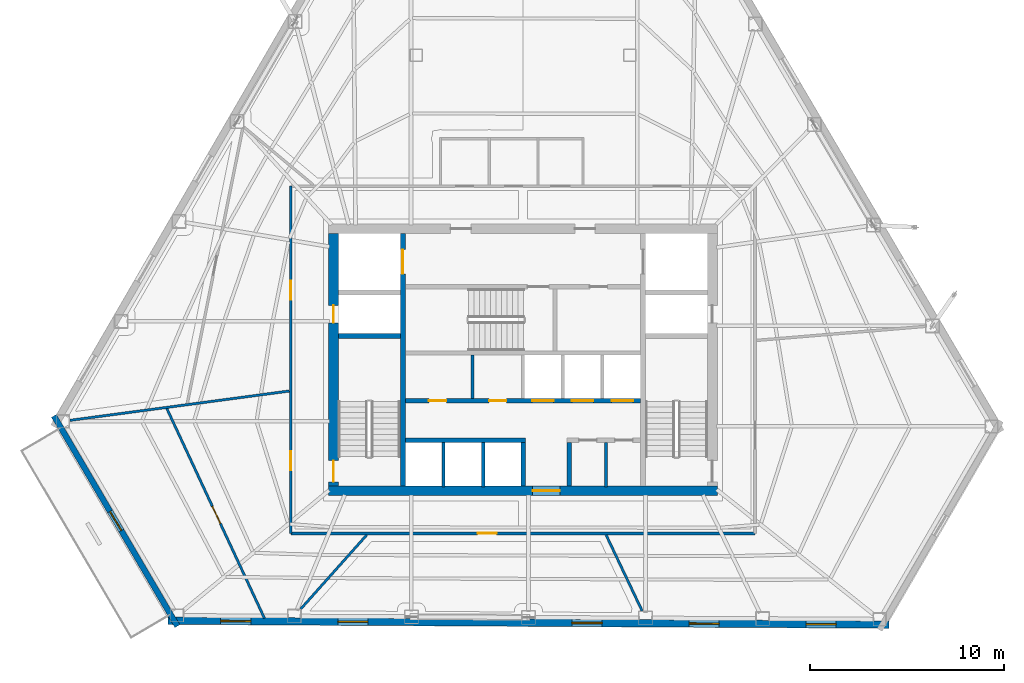
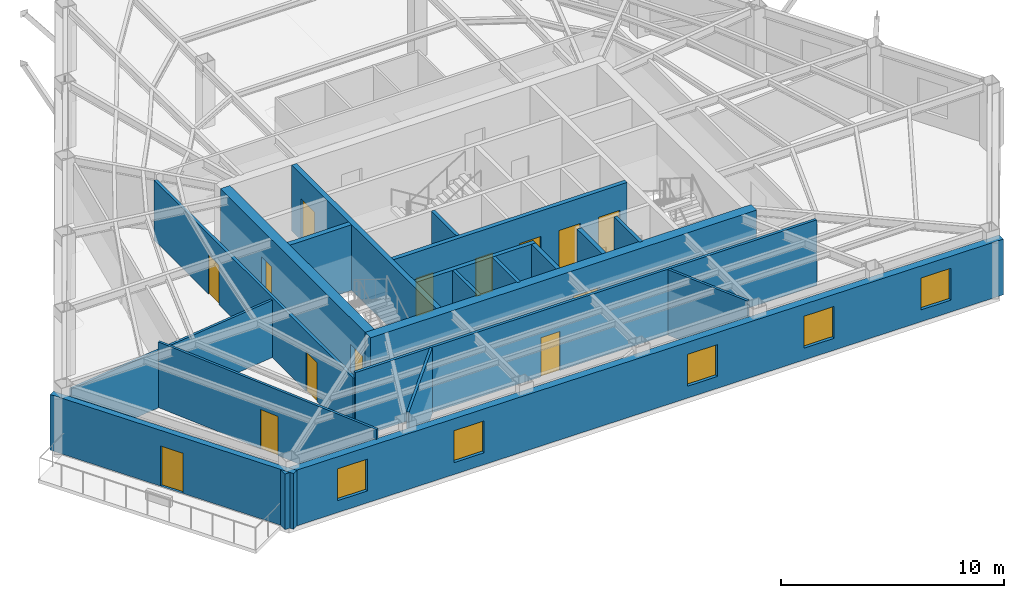
# One storey, part 7 of 13: 20 walls, 14 doors, 5 windows, 19 openings.
"""IFC4 building model written with IfcOpenShell, lengths in metres."""

import ifcopenshell
import ifcopenshell.guid

model = None  # the IFC model being written
_history = None  # IfcOwnerHistory: only IFC2X3 demands one
_inside = {}  # id of a spatial element -> (the spatial element, [elements in it])
_under = {}  # id of a project, library or spatial element -> (it, [spatial elements below it])
_declared = {}  # id of a project -> (the project, [libraries it declares])
_typed = {}  # id of a type object -> (the type object, [elements of that type])
_made_of = {}  # id of a material, layer set ... -> (it, [elements and type objects made of it])


def new_model(schema):
    """Start an empty IFC model of exactly this schema.

    Asked for "IFC4X3", IfcOpenShell would pick the latest addendum, in which some entities
    have other attributes; the version numbers below select the first issue.
    IFC2X3 requires an IfcOwnerHistory on every rooted entity: one is made here for all.
    """
    global model, _history
    if schema == "IFC4X3":
        model = ifcopenshell.file(schema_version=(4, 3, 0, 0))
    else:
        model = ifcopenshell.file(schema=schema)
    _inside.clear()
    _under.clear()
    _declared.clear()
    _typed.clear()
    _made_of.clear()
    _history = None
    if model.schema == "IFC2X3":
        org = make("IfcOrganization", Name="unknown")
        user = make(
            "IfcPersonAndOrganization",
            ThePerson=make("IfcPerson", FamilyName="unknown"),
            TheOrganization=org,
        )
        app = make(
            "IfcApplication",
            ApplicationDeveloper=org,
            Version="unknown",
            ApplicationFullName="unknown",
            ApplicationIdentifier="unknown",
        )
        _history = make(
            "IfcOwnerHistory",
            OwningUser=user,
            OwningApplication=app,
            ChangeAction="ADDED",
            CreationDate=0,
        )
    return model


def make(cls, **values):
    """One entity of the class cls with the attributes given. An attribute that is None is left unset."""
    return model.create_entity(
        cls, **{name: value for name, value in values.items() if value is not None}
    )


def rooted(cls, **values):
    """An entity with a GlobalId (a new one), such as an element, a storey or a relation."""
    return make(cls, GlobalId=ifcopenshell.guid.new(), OwnerHistory=_history, **values)


def si_unit(unit_type, name, prefix=None):
    """IfcSIUnit, for example si_unit("LENGTHUNIT", "METRE", prefix="MILLI")."""
    return make("IfcSIUnit", UnitType=unit_type, Prefix=prefix, Name=name)


def assignment(units):
    """IfcUnitAssignment: the units of a project."""
    return None if units is None else make("IfcUnitAssignment", Units=units)


def point(xyz):
    """IfcCartesianPoint."""
    return None if xyz is None else make("IfcCartesianPoint", Coordinates=xyz)


def direction(xyz):
    """IfcDirection."""
    return None if xyz is None else make("IfcDirection", DirectionRatios=xyz)


def frame(location, z_axis=None, x_axis=None):
    """IfcAxis2Placement3D, a coordinate frame: its origin and axes. An axis left out is left unset."""
    return make(
        "IfcAxis2Placement3D",
        Location=point(location),
        Axis=direction(z_axis),
        RefDirection=direction(x_axis),
    )


def frame_2d(location, x_axis=None):
    """IfcAxis2Placement2D, a coordinate frame in the plane: its origin and x axis."""
    return make(
        "IfcAxis2Placement2D", Location=point(location), RefDirection=direction(x_axis)
    )


def origin():
    """The frame at (0, 0, 0) with its axes left unset."""
    return frame((0.0, 0.0, 0.0))


def place(relative_to, where):
    """IfcLocalPlacement: puts the frame where relative to a parent placement (None: the world)."""
    return make(
        "IfcLocalPlacement", PlacementRelTo=relative_to, RelativePlacement=where
    )


def context(
    kind, dimensions, precision=None, world=None, true_north=None, identifier=None
):
    """IfcGeometricRepresentationContext, for example the 3D "Model" context."""
    return make(
        "IfcGeometricRepresentationContext",
        ContextIdentifier=identifier,
        ContextType=kind,
        CoordinateSpaceDimension=dimensions,
        Precision=precision,
        WorldCoordinateSystem=world,
        TrueNorth=true_north,
    )


def subcontext(parent, identifier, kind, view, scale=None):
    """IfcGeometricRepresentationSubContext, for example "Body" below "Model"."""
    return make(
        "IfcGeometricRepresentationSubContext",
        ContextIdentifier=identifier,
        ContextType=kind,
        ParentContext=parent,
        TargetScale=scale,
        TargetView=view,
    )


def project(units=None, contexts=None):
    """IfcProject with its units and contexts."""
    return rooted(
        "IfcProject",
        Name="project",
        RepresentationContexts=contexts,
        UnitsInContext=assignment(units),
    )


def spatial(cls, under=None, at=None, **own):
    """A site, building, storey or space (cls), placed at a placement, below another one or the project."""
    s = rooted(cls, ObjectPlacement=at, **own)
    if under is not None:
        _under.setdefault(under.id(), (under, []))[1].append(s)
    return s


def profile(cls, at=None, kind="AREA", **sizes):
    """A parametric profile (cls). Its sizes go by their IFC names, for example OverallWidth=200.0."""
    return make(cls, ProfileType=kind, Position=at, **sizes)


def rectangle(**sizes):
    """IfcRectangleProfileDef."""
    return profile("IfcRectangleProfileDef", **sizes)


def extrude(swept, where, along, depth):
    """IfcExtrudedAreaSolid: the profile swept, set in the frame where, extruded along a direction by depth."""
    return make(
        "IfcExtrudedAreaSolid",
        SweptArea=swept,
        Position=where,
        ExtrudedDirection=direction(along),
        Depth=depth,
    )


def shape(context_of_items, identifier, shape_type, items):
    """IfcShapeRepresentation: the items that make up one representation, for example the "Body"."""
    return make(
        "IfcShapeRepresentation",
        ContextOfItems=context_of_items,
        RepresentationIdentifier=identifier,
        RepresentationType=shape_type,
        Items=items,
    )


def material(Name=None, Category=None):
    """IfcMaterial."""
    return make("IfcMaterial", Name=Name, Category=Category)


def layer(
    of_material, thickness, ventilated=None, Name=None, Category=None, Priority=None
):
    """IfcMaterialLayer: one layer of a wall or slab, of a material (None: an air gap)."""
    return make(
        "IfcMaterialLayer",
        Material=of_material,
        LayerThickness=thickness,
        IsVentilated=ventilated,
        Name=Name,
        Category=Category,
        Priority=Priority,
    )


def layer_set(layers, Name=None):
    """IfcMaterialLayerSet."""
    return make("IfcMaterialLayerSet", MaterialLayers=layers, LayerSetName=Name)


def made_of(thing, what):
    """Note that an element or type object is made of a material, layer set ...; save() writes the relation."""
    if what is not None:
        _made_of.setdefault(what.id(), (what, []))[1].append(thing)
    return thing


def type_object(cls, material=None, **own):
    """A type object (cls), such as IfcWallType, which elements share."""
    return made_of(rooted(cls, **own), material)


def element(
    cls,
    number,
    at=None,
    inside=None,
    cuts=None,
    type_object=None,
    material=None,
    context=None,
    identifier="Body",
    shape_type=None,
    held_by="IfcProductDefinitionShape",
    body=None,
    shapes=None,
    **own,
):
    """One element of the class cls, such as IfcWall. Its Tag is "e" and its number.

    at: its placement. inside: the storey or other place that contains it. cuts: it is an
    opening in that element (IfcRelVoidsElement). A single representation is given by context,
    identifier, shape_type and body (its items); several are given by shapes. held_by: the class
    of the entity that holds the representations. save() writes the other relations.
    """
    e = rooted(cls, Tag="e%d" % number, ObjectPlacement=at, **own)
    if body is not None:
        shapes = [shape(context, identifier, shape_type, body)]
    if shapes is not None:
        e.Representation = make(held_by, Representations=shapes)
    if inside is not None:
        _inside.setdefault(inside.id(), (inside, []))[1].append(e)
    if cuts is not None:
        rooted(
            "IfcRelVoidsElement", RelatingBuildingElement=cuts, RelatedOpeningElement=e
        )
    if type_object is not None:
        _typed.setdefault(type_object.id(), (type_object, []))[1].append(e)
    return made_of(e, material)


def fill(opening, filler):
    """IfcRelFillsElement: the door or window that sits in an opening."""
    return rooted(
        "IfcRelFillsElement",
        RelatingOpeningElement=opening,
        RelatedBuildingElement=filler,
    )


def aggregate(whole, parts):
    """IfcRelAggregates: a whole, such as a stair, and the parts it consists of."""
    return rooted("IfcRelAggregates", RelatingObject=whole, RelatedObjects=parts)


def save(model, path):
    """Write the relations noted so far, then the file.

    IfcRelAggregates (storeys below a building ...), IfcRelContainedInSpatialStructure (elements
    in a storey), IfcRelDefinesByType, IfcRelAssociatesMaterial and IfcRelDeclares: one each for
    every whole, place, type object, material and project.
    """
    for whole, parts in _under.values():
        aggregate(whole, parts)
    for where, things in _inside.values():
        rooted(
            "IfcRelContainedInSpatialStructure",
            RelatedElements=things,
            RelatingStructure=where,
        )
    for kind, things in _typed.values():
        rooted("IfcRelDefinesByType", RelatedObjects=things, RelatingType=kind)
    for what, things in _made_of.values():
        rooted("IfcRelAssociatesMaterial", RelatedObjects=things, RelatingMaterial=what)
    for by, libraries in _declared.values():
        rooted("IfcRelDeclares", RelatingContext=by, RelatedDefinitions=libraries)
    model.write(path)


model = new_model("IFC4")

# Units and contexts
model_context = context("Model", 3, precision=1e-05, world=origin(), true_north=direction((0.0, 1.0)))
body_context = subcontext(model_context, "Body", "Model", "MODEL_VIEW")
ifc_project = project(units=[si_unit("LENGTHUNIT", "METRE"), si_unit("AREAUNIT", "SQUARE_METRE"), si_unit("VOLUMEUNIT", "CUBIC_METRE"), si_unit("PLANEANGLEUNIT", "RADIAN"), si_unit("MASSUNIT", "GRAM", prefix="KILO")], contexts=[model_context])

# Site, building, storey
site_placement = place(None, origin())
site = spatial("IfcSite", under=ifc_project, at=site_placement, CompositionType="ELEMENT")
building_placement = place(site_placement, origin())
building = spatial("IfcBuilding", under=site, at=building_placement, Name="Kavelnor Concourse Tower", CompositionType="ELEMENT")
storey_placement = place(building_placement, frame((0.0, 0.0, 124.0)))
storey = spatial("IfcBuildingStorey", under=building, at=storey_placement, Name="L31", CompositionType="ELEMENT", Elevation=124.0)

# Wall, opening, door
ifc_material_1 = material(Name="Concrete C60/75", Category="concrete")
ifc_layer_1 = layer(ifc_material_1, 0.5, Name="Concrete C60/75")
ifc_layer_set_1 = layer_set([ifc_layer_1], Name="Concrete C60/75")
wall_type_1 = type_object("IfcWallType", Name="WL-CORE-Z2-500", PredefinedType="SOLIDWALL", material=ifc_layer_set_1)
wall_1_placement = place(storey_placement, frame((27.97998046875, 9.35009765625, 0.0), z_axis=(0.0, 0.0, 1.0), x_axis=(1.0, 0.0, 0.0)))
wall_1 = element("IfcWall", 1, at=wall_1_placement, inside=storey, type_object=wall_type_1, Name="L31 Central Core South Shear Wall", PredefinedType="SOLIDWALL", context=body_context, shape_type="SweptSolid", body=[
    extrude(rectangle(XDim=20.0400390625, YDim=0.5, at=frame_2d((10.02001953125, 0.0))), origin(), (0.0, 0.0, 1.0), 3.60009765625),
])
opening_1_placement = place(wall_1_placement, frame((10.52001953125, 0.0, 0.0)))
opening_1 = element("IfcOpeningElement", 2, at=opening_1_placement, cuts=wall_1, Name="Opening SD-140", PredefinedType="OPENING", context=body_context, shape_type="SweptSolid", body=[
    extrude(rectangle(XDim=1.39990234375, YDim=2.199951171875, at=frame_2d((0.699951171875, 1.10009765625))), frame((0.0, 0.260009765625, 0.0), z_axis=(0.0, -1.0, 0.0), x_axis=(1.0, 0.0, 0.0)), (0.0, 0.0, 1.0), 0.52001953125),
])
ifc_material_2 = material(Name="Solid-core hardwood timber", Category="wood")
door_type_1 = type_object("IfcDoorType", Name="DR-SUITE-ENTRY-1400", OperationType="NOTDEFINED", PredefinedType="DOOR", material=ifc_material_2)
door_1_placement = place(opening_1_placement, origin())
door_1 = element("IfcDoor", 3, at=door_1_placement, inside=storey, type_object=door_type_1, Name="L31 Passenger Lift Lobby Entry Door", OperationType="SINGLE_SWING_RIGHT", OverallHeight=2.199951171875, OverallWidth=1.39990234375, PredefinedType="DOOR", context=body_context, shape_type="SweptSolid", body=[
    extrude(rectangle(XDim=1.39990234375, YDim=2.199951171875, at=frame_2d((0.699951171875, 1.10009765625))), frame((0.0, 0.02490234375, 0.0), z_axis=(0.0, -1.0, 0.0), x_axis=(1.0, 0.0, 0.0)), (0.0, 0.0, 1.0), 0.050048828125),
])
fill(opening_1, door_1)

# Wall, openings, doors
wall_2_placement = place(storey_placement, frame((28.22998046875, 9.60009765625, 0.0), z_axis=(0.0, 0.0, 1.0), x_axis=(0.0, 1.0, 0.0)))
wall_2 = element("IfcWall", 4, at=wall_2_placement, inside=storey, type_object=wall_type_1, Name="L31 Central Core West Shear Wall", PredefinedType="SOLIDWALL", context=body_context, shape_type="SweptSolid", body=[
    extrude(rectangle(XDim=13.0, YDim=0.5, at=frame_2d((6.5, 0.0))), origin(), (0.0, 0.0, 1.0), 3.60009765625),
])
opening_2_placement = place(wall_2_placement, frame((0.199951171875, 0.0, 0.0)))
opening_2 = element("IfcOpeningElement", 5, at=opening_2_placement, cuts=wall_2, Name="Opening FD-110", PredefinedType="OPENING", context=body_context, shape_type="SweptSolid", body=[
    extrude(rectangle(XDim=1.10009765625, YDim=2.14990234375, at=frame_2d((0.550048828125, 1.074951171875))), frame((0.0, 0.260009765625, 0.0), z_axis=(0.0, -1.0, 0.0), x_axis=(1.0, 0.0, 0.0)), (0.0, 0.0, 1.0), 0.52001953125),
])
opening_3_placement = place(wall_2_placement, frame((8.39990234375, 0.0, 0.0)))
opening_3 = element("IfcOpeningElement", 6, at=opening_3_placement, cuts=wall_2, Name="Opening FD-090", PredefinedType="OPENING", context=body_context, shape_type="SweptSolid", body=[
    extrude(rectangle(XDim=0.89990234375, YDim=2.10009765625, at=frame_2d((0.449951171875, 1.050048828125))), frame((0.0, 0.260009765625, 0.0), z_axis=(0.0, -1.0, 0.0), x_axis=(1.0, 0.0, 0.0)), (0.0, 0.0, 1.0), 0.52001953125),
])
ifc_material_3 = material(Name="Steel Grade 350", Category="steel")
door_type_2 = type_object("IfcDoorType", Name="DR-RISER-FIRE-900", OperationType="NOTDEFINED", PredefinedType="DOOR", material=ifc_material_3)
door_2_placement = place(opening_3_placement, origin())
door_2 = element("IfcDoor", 7, at=door_2_placement, inside=storey, type_object=door_type_2, Name="L31 West Riser Access Door", OperationType="SINGLE_SWING_RIGHT", OverallHeight=2.10009765625, OverallWidth=0.89990234375, PredefinedType="DOOR", context=body_context, shape_type="SweptSolid", body=[
    extrude(rectangle(XDim=0.89990234375, YDim=2.10009765625, at=frame_2d((0.449951171875, 1.050048828125))), frame((0.0, 0.02490234375, 0.0), z_axis=(0.0, -1.0, 0.0), x_axis=(1.0, 0.0, 0.0)), (0.0, 0.0, 1.0), 0.050048828125),
])
fill(opening_3, door_2)
door_type_3 = type_object("IfcDoorType", Name="DR-STAIR-FIRE-1100", OperationType="NOTDEFINED", PredefinedType="DOOR", material=ifc_material_3)
door_3_placement = place(opening_2_placement, origin())
door_3 = element("IfcDoor", 8, at=door_3_placement, inside=storey, type_object=door_type_3, Name="L31 Stair ST1 Fire Door", OperationType="SINGLE_SWING_LEFT", OverallHeight=2.14990234375, OverallWidth=1.10009765625, PredefinedType="DOOR", context=body_context, shape_type="SweptSolid", body=[
    extrude(rectangle(XDim=1.10009765625, YDim=2.14990234375, at=frame_2d((0.550048828125, 1.074951171875))), frame((0.0, 0.02490234375, 0.0), z_axis=(0.0, -1.0, 0.0), x_axis=(1.0, 0.0, 0.0)), (0.0, 0.0, 1.0), 0.050048828125),
])
fill(opening_2, door_3)

# Wall, opening, door
ifc_material_4 = material(Name="Buff ironspot clay face brick masonry", Category="masonry")
ifc_layer_2 = layer(ifc_material_4, 0.300048828125, Name="Buff ironspot clay face brick masonry")
ifc_layer_set_2 = layer_set([ifc_layer_2], Name="Buff ironspot clay face brick masonry")
wall_type_2 = type_object("IfcWallType", Name="WL-EXT-BUFF-BRICK-FOLD-300", PredefinedType="STANDARD", material=ifc_layer_set_2)
wall_3_placement = place(storey_placement, frame((20.17919921875, 2.36572265625, 0.0), z_axis=(0.0, 0.0, 1.0), x_axis=(-0.506333382152, 0.862337814385, 0.0)))
wall_3 = element("IfcWall", 9, at=wall_3_placement, inside=storey, type_object=wall_type_2, Name="L31 Exterior Brick Facade Wall E2", PredefinedType="STANDARD", context=body_context, shape_type="SweptSolid", body=[
    extrude(rectangle(XDim=12.57177734375, YDim=0.300048828125, at=frame_2d((6.285888671875, 0.0))), origin(), (0.0, 0.0, 1.0), 3.05908203125),
])
opening_4_placement = place(wall_3_placement, frame((5.710693359375, 0.0, 0.0)))
opening_4 = element("IfcOpeningElement", 10, at=opening_4_placement, cuts=wall_3, Name="Opening TD-115", PredefinedType="OPENING", context=body_context, shape_type="SweptSolid", body=[
    extrude(rectangle(XDim=1.14990234375, YDim=2.199951171875, at=frame_2d((0.574951171875, 1.10009765625))), frame((0.0, 0.16015625, 0.0), z_axis=(0.0, -1.0, 0.0), x_axis=(1.0, 0.0, 0.0)), (0.0, 0.0, 1.0), 0.320068359375),
])
ifc_material_5 = material(Name="Anodised aluminium 6063-T6", Category="aluminium")
door_type_4 = type_object("IfcDoorType", Name="DR-TERRACE-EXT-1150", OperationType="NOTDEFINED", PredefinedType="DOOR", material=ifc_material_5)
door_4_placement = place(opening_4_placement, origin())
door_4 = element("IfcDoor", 11, at=door_4_placement, inside=storey, type_object=door_type_4, Name="L31 Spiral Sky Terrace Access Door", OperationType="SINGLE_SWING_RIGHT", OverallHeight=2.199951171875, OverallWidth=1.14990234375, PredefinedType="DOOR", context=body_context, shape_type="SweptSolid", body=[
    extrude(rectangle(XDim=1.14990234375, YDim=2.199951171875, at=frame_2d((0.574951171875, 1.10009765625))), frame((0.0, 0.02490234375, 0.0), z_axis=(0.0, -1.0, 0.0), x_axis=(1.0, 0.0, 0.0)), (0.0, 0.0, 1.0), 0.050048828125),
])
fill(opening_4, door_4)

# Wall, openings, windows
ifc_material_6 = material(Name="Red-ochre clay face brick masonry", Category="masonry")
ifc_layer_3 = layer(ifc_material_6, 0.3798828125, Name="Red-ochre clay face brick masonry")
ifc_layer_set_3 = layer_set([ifc_layer_3], Name="Red-ochre clay face brick masonry")
wall_type_3 = type_object("IfcWallType", Name="WL-EXT-RED-BRICK-PIER-380", PredefinedType="STANDARD", material=ifc_layer_set_3)
wall_4_placement = place(storey_placement, frame((56.871337890625, 2.44384765625, 0.0), z_axis=(0.0, 0.0, 1.0), x_axis=(-0.999985675059, 0.00535253921, 0.0)))
wall_4 = element("IfcWall", 12, at=wall_4_placement, inside=storey, type_object=wall_type_3, Name="L31 Exterior Brick Facade Wall E3", PredefinedType="STANDARD", context=body_context, shape_type="SweptSolid", body=[
    extrude(rectangle(XDim=37.173828125, YDim=0.3798828125, at=frame_2d((18.5869140625, 0.0))), origin(), (0.0, 0.0, 1.0), 3.05908203125),
])
opening_5_placement = place(wall_4_placement, frame((32.9072265625, 0.0, 0.64990234375)))
opening_5 = element("IfcOpeningElement", 13, at=opening_5_placement, cuts=wall_4, Name="Opening W-02", PredefinedType="OPENING", context=body_context, shape_type="SweptSolid", body=[
    extrude(rectangle(XDim=1.550048828125, YDim=1.75, at=frame_2d((0.77490234375, 0.875))), frame((0.0, 0.199951171875, 0.0), z_axis=(0.0, -1.0, 0.0), x_axis=(1.0, 0.0, 0.0)), (0.0, 0.0, 1.0), 0.39990234375),
])
opening_6_placement = place(wall_4_placement, frame((26.8701171875, 0.0, 0.64990234375)))
opening_6 = element("IfcOpeningElement", 14, at=opening_6_placement, cuts=wall_4, Name="Opening W-02", PredefinedType="OPENING", context=body_context, shape_type="SweptSolid", body=[
    extrude(rectangle(XDim=1.550048828125, YDim=1.75, at=frame_2d((0.77490234375, 0.875))), frame((0.0, 0.199951171875, 0.0), z_axis=(0.0, -1.0, 0.0), x_axis=(1.0, 0.0, 0.0)), (0.0, 0.0, 1.0), 0.39990234375),
])
opening_7_placement = place(wall_4_placement, frame((14.7958984375, 0.0, 0.64990234375)))
opening_7 = element("IfcOpeningElement", 15, at=opening_7_placement, cuts=wall_4, Name="Opening W-02", PredefinedType="OPENING", context=body_context, shape_type="SweptSolid", body=[
    extrude(rectangle(XDim=1.550048828125, YDim=1.75, at=frame_2d((0.77490234375, 0.875))), frame((0.0, 0.199951171875, 0.0), z_axis=(0.0, -1.0, 0.0), x_axis=(1.0, 0.0, 0.0)), (0.0, 0.0, 1.0), 0.39990234375),
])
opening_8_placement = place(wall_4_placement, frame((8.7587890625, 0.0, 0.64990234375)))
opening_8 = element("IfcOpeningElement", 16, at=opening_8_placement, cuts=wall_4, Name="Opening W-02", PredefinedType="OPENING", context=body_context, shape_type="SweptSolid", body=[
    extrude(rectangle(XDim=1.550048828125, YDim=1.75, at=frame_2d((0.77490234375, 0.875))), frame((0.0, 0.199951171875, 0.0), z_axis=(0.0, -1.0, 0.0), x_axis=(1.0, 0.0, 0.0)), (0.0, 0.0, 1.0), 0.39990234375),
])
opening_9_placement = place(wall_4_placement, frame((2.7216796875, 0.0, 0.64990234375)))
opening_9 = element("IfcOpeningElement", 17, at=opening_9_placement, cuts=wall_4, Name="Opening W-02", PredefinedType="OPENING", context=body_context, shape_type="SweptSolid", body=[
    extrude(rectangle(XDim=1.550048828125, YDim=1.75, at=frame_2d((0.77490234375, 0.875))), frame((0.0, 0.199951171875, 0.0), z_axis=(0.0, -1.0, 0.0), x_axis=(1.0, 0.0, 0.0)), (0.0, 0.0, 1.0), 0.39990234375),
])
ifc_material_7 = material(Name="Double low-E argon insulated glazing", Category="glass")
window_type = type_object("IfcWindowType", Name="WIN-PIER-Z2-1650", PartitioningType="SINGLE_PANEL", PredefinedType="WINDOW", material=ifc_material_7)
window_1_placement = place(opening_5_placement, origin())
window_1 = element("IfcWindow", 18, at=window_1_placement, inside=storey, type_object=window_type, Name="L31 Deep-Set Brick Pier Window F1-B0", OverallHeight=1.75, OverallWidth=1.550048828125, PartitioningType="SINGLE_PANEL", PredefinedType="WINDOW", context=body_context, shape_type="SweptSolid", body=[
    extrude(rectangle(XDim=1.550048828125, YDim=1.75, at=frame_2d((0.77490234375, 0.875))), frame((0.0, 0.030029296875, 0.0), z_axis=(0.0, -1.0, 0.0), x_axis=(1.0, 0.0, 0.0)), (0.0, 0.0, 1.0), 0.06005859375),
])
fill(opening_5, window_1)
window_2_placement = place(opening_6_placement, origin())
window_2 = element("IfcWindow", 19, at=window_2_placement, inside=storey, type_object=window_type, Name="L31 Deep-Set Brick Pier Window F1-B1", OverallHeight=1.75, OverallWidth=1.550048828125, PartitioningType="SINGLE_PANEL", PredefinedType="WINDOW", context=body_context, shape_type="SweptSolid", body=[
    extrude(rectangle(XDim=1.550048828125, YDim=1.75, at=frame_2d((0.77490234375, 0.875))), frame((0.0, 0.030029296875, 0.0), z_axis=(0.0, -1.0, 0.0), x_axis=(1.0, 0.0, 0.0)), (0.0, 0.0, 1.0), 0.06005859375),
])
fill(opening_6, window_2)
window_3_placement = place(opening_7_placement, origin())
window_3 = element("IfcWindow", 20, at=window_3_placement, inside=storey, type_object=window_type, Name="L31 Deep-Set Brick Pier Window F1-B3", OverallHeight=1.75, OverallWidth=1.550048828125, PartitioningType="SINGLE_PANEL", PredefinedType="WINDOW", context=body_context, shape_type="SweptSolid", body=[
    extrude(rectangle(XDim=1.550048828125, YDim=1.75, at=frame_2d((0.77490234375, 0.875))), frame((0.0, 0.030029296875, 0.0), z_axis=(0.0, -1.0, 0.0), x_axis=(1.0, 0.0, 0.0)), (0.0, 0.0, 1.0), 0.06005859375),
])
fill(opening_7, window_3)
window_4_placement = place(opening_8_placement, origin())
window_4 = element("IfcWindow", 21, at=window_4_placement, inside=storey, type_object=window_type, Name="L31 Deep-Set Brick Pier Window F1-B4", OverallHeight=1.75, OverallWidth=1.550048828125, PartitioningType="SINGLE_PANEL", PredefinedType="WINDOW", context=body_context, shape_type="SweptSolid", body=[
    extrude(rectangle(XDim=1.550048828125, YDim=1.75, at=frame_2d((0.77490234375, 0.875))), frame((0.0, 0.030029296875, 0.0), z_axis=(0.0, -1.0, 0.0), x_axis=(1.0, 0.0, 0.0)), (0.0, 0.0, 1.0), 0.06005859375),
])
fill(opening_8, window_4)
window_5_placement = place(opening_9_placement, origin())
window_5 = element("IfcWindow", 22, at=window_5_placement, inside=storey, type_object=window_type, Name="L31 Deep-Set Brick Pier Window F1-B5", OverallHeight=1.75, OverallWidth=1.550048828125, PartitioningType="SINGLE_PANEL", PredefinedType="WINDOW", context=body_context, shape_type="SweptSolid", body=[
    extrude(rectangle(XDim=1.550048828125, YDim=1.75, at=frame_2d((0.77490234375, 0.875))), frame((0.0, 0.030029296875, 0.0), z_axis=(0.0, -1.0, 0.0), x_axis=(1.0, 0.0, 0.0)), (0.0, 0.0, 1.0), 0.06005859375),
])
fill(opening_9, window_5)

# Wall, openings, doors
ifc_material_8 = material(Name="Gypsum plasterboard on light-gauge steel studs", Category="steel")
ifc_layer_4 = layer(ifc_material_8, 0.14501953125, Name="Gypsum plasterboard on light-gauge steel studs")
ifc_layer_set_4 = layer_set([ifc_layer_4], Name="Gypsum plasterboard on light-gauge steel studs")
wall_type_4 = type_object("IfcWallType", Name="WL-INT-CORR-145", PredefinedType="PARTITIONING", material=ifc_layer_set_4)
wall_5_placement = place(storey_placement, frame((26.030029296875, 25.050048828125, 0.0), z_axis=(0.0, 0.0, 1.0), x_axis=(0.0, -1.0, 0.0)))
wall_5 = element("IfcWall", 23, at=wall_5_placement, inside=storey, type_object=wall_type_4, Name="L31 Corridor Wall WL-L31-CR-03", PredefinedType="PARTITIONING", context=body_context, shape_type="SweptSolid", body=[
    extrude(rectangle(XDim=17.900146484375, YDim=0.14501953125, at=frame_2d((8.9501953125, 0.0))), origin(), (0.0, 0.0, 1.0), 3.2880859375),
])
opening_10_placement = place(wall_5_placement, frame((4.876220703125, 0.0, 0.0)))
opening_10 = element("IfcOpeningElement", 24, at=opening_10_placement, cuts=wall_5, Name="Opening OD-098", PredefinedType="OPENING", context=body_context, shape_type="SweptSolid", body=[
    extrude(rectangle(XDim=0.97998046875, YDim=2.14990234375, at=frame_2d((0.489990234375, 1.074951171875))), frame((0.0, 0.08251953125, 0.0), z_axis=(0.0, -1.0, 0.0), x_axis=(1.0, 0.0, 0.0)), (0.0, 0.0, 1.0), 0.1650390625),
])
opening_11_placement = place(wall_5_placement, frame((13.655517578125, 0.0, 0.0)))
opening_11 = element("IfcOpeningElement", 25, at=opening_11_placement, cuts=wall_5, Name="Opening OD-098", PredefinedType="OPENING", context=body_context, shape_type="SweptSolid", body=[
    extrude(rectangle(XDim=0.97998046875, YDim=2.14990234375, at=frame_2d((0.489990234375, 1.074951171875))), frame((0.0, 0.08251953125, 0.0), z_axis=(0.0, -1.0, 0.0), x_axis=(1.0, 0.0, 0.0)), (0.0, 0.0, 1.0), 0.1650390625),
])
door_type_5 = type_object("IfcDoorType", Name="DR-OFFICE-980", OperationType="NOTDEFINED", PredefinedType="DOOR", material=ifc_material_2)
door_5_placement = place(opening_10_placement, origin())
door_5 = element("IfcDoor", 26, at=door_5_placement, inside=storey, type_object=door_type_5, Name="L31 Tenant Bookstore Retail Shop 02 Door", OperationType="SINGLE_SWING_RIGHT", OverallHeight=2.14990234375, OverallWidth=0.97998046875, PredefinedType="DOOR", context=body_context, shape_type="SweptSolid", body=[
    extrude(rectangle(XDim=0.97998046875, YDim=2.14990234375, at=frame_2d((0.489990234375, 1.074951171875))), frame((0.0, 0.02490234375, 0.0), z_axis=(0.0, -1.0, 0.0), x_axis=(1.0, 0.0, 0.0)), (0.0, 0.0, 1.0), 0.050048828125),
])
fill(opening_10, door_5)
door_6_placement = place(opening_11_placement, origin())
door_6 = element("IfcDoor", 27, at=door_6_placement, inside=storey, type_object=door_type_5, Name="L31 Building Staff Breakroom 04 Door", OperationType="SINGLE_SWING_RIGHT", OverallHeight=2.14990234375, OverallWidth=0.97998046875, PredefinedType="DOOR", context=body_context, shape_type="SweptSolid", body=[
    extrude(rectangle(XDim=0.97998046875, YDim=2.14990234375, at=frame_2d((0.489990234375, 1.074951171875))), frame((0.0, 0.02490234375, 0.0), z_axis=(0.0, -1.0, 0.0), x_axis=(1.0, 0.0, 0.0)), (0.0, 0.0, 1.0), 0.050048828125),
])
fill(opening_11, door_6)

# Wall, opening, door
wall_6_placement = place(storey_placement, frame((26.030029296875, 7.14990234375, 0.0), z_axis=(0.0, 0.0, 1.0), x_axis=(1.0, 0.0, 0.0)))
wall_6 = element("IfcWall", 28, at=wall_6_placement, inside=storey, type_object=wall_type_4, Name="L31 Corridor Wall WL-L31-CR-04", PredefinedType="PARTITIONING", context=body_context, shape_type="SweptSolid", body=[
    extrude(rectangle(XDim=23.93994140625, YDim=0.14501953125, at=frame_2d((11.969970703125, 0.0))), origin(), (0.0, 0.0, 1.0), 3.60009765625),
])
opening_12_placement = place(wall_6_placement, frame((9.634521484375, 0.0, 0.0)))
opening_12 = element("IfcOpeningElement", 29, at=opening_12_placement, cuts=wall_6, Name="Opening OD-098", PredefinedType="OPENING", context=body_context, shape_type="SweptSolid", body=[
    extrude(rectangle(XDim=0.97998046875, YDim=2.14990234375, at=frame_2d((0.489990234375, 1.074951171875))), frame((0.0, 0.08251953125, 0.0), z_axis=(0.0, -1.0, 0.0), x_axis=(1.0, 0.0, 0.0)), (0.0, 0.0, 1.0), 0.1650390625),
])
door_7_placement = place(opening_12_placement, origin())
door_7 = element("IfcDoor", 30, at=door_7_placement, inside=storey, type_object=door_type_5, Name="L31 Building Staff Breakroom 06 Door", OperationType="SINGLE_SWING_RIGHT", OverallHeight=2.14990234375, OverallWidth=0.97998046875, PredefinedType="DOOR", context=body_context, shape_type="SweptSolid", body=[
    extrude(rectangle(XDim=0.97998046875, YDim=2.14990234375, at=frame_2d((0.489990234375, 1.074951171875))), frame((0.0, 0.02490234375, 0.0), z_axis=(0.0, -1.0, 0.0), x_axis=(1.0, 0.0, 0.0)), (0.0, 0.0, 1.0), 0.050048828125),
])
fill(opening_12, door_7)

# Walls
ifc_layer_5 = layer(ifc_material_8, 0.1650390625, Name="Gypsum plasterboard on light-gauge steel studs")
ifc_layer_set_5 = layer_set([ifc_layer_5], Name="Gypsum plasterboard on light-gauge steel studs")
wall_type_5 = type_object("IfcWallType", Name="WL-INT-FIRE-165", PredefinedType="PARTITIONING", material=ifc_layer_set_5)
for number, where, z_axis, x_axis, name in (
    (31, (33.89990234375, 9.550048828125, 0.0), (0.0, 0.0, 1.0), (0.0, 1.0, 0.0), "L31 Lift Shaft Divider LP7"),
    (32, (35.949951171875, 9.550048828125, 0.0), (0.0, 0.0, 1.0), (0.0, 1.0, 0.0), "L31 Lift Shaft Divider LP8"),
):
    element("IfcWall", number, at=place(storey_placement, frame(where, z_axis=z_axis, x_axis=x_axis)), inside=storey, type_object=wall_type_5, Name=name, PredefinedType="PARTITIONING", context=body_context, shape_type="SweptSolid", body=[
        extrude(rectangle(XDim=2.2900390625, YDim=0.1650390625, at=frame_2d((1.14501953125, 0.0))), origin(), (0.0, 0.0, 1.0), 3.60009765625),
    ])
wall_7_placement = place(storey_placement, frame((35.39990234375, 14.10009765625, 0.0), z_axis=(0.0, 0.0, 1.0), x_axis=(0.0, 1.0, 0.0)))
element("IfcWall", 33, at=wall_7_placement, inside=storey, type_object=wall_type_5, Name="L31 Reclaimed Core Split Wall", PredefinedType="PARTITIONING", context=body_context, shape_type="SweptSolid", body=[
    extrude(rectangle(XDim=2.239990234375, YDim=0.1650390625, at=frame_2d((1.1201171875, 0.0))), origin(), (0.0, 0.0, 1.0), 3.60009765625),
])
wall_8_placement = place(storey_placement, frame((42.280029296875, 9.550048828125, 0.0), z_axis=(0.0, 0.0, 1.0), x_axis=(0.0, 1.0, 0.0)))
element("IfcWall", 34, at=wall_8_placement, inside=storey, type_object=wall_type_5, Name="L31 Core Support Divider", PredefinedType="PARTITIONING", context=body_context, shape_type="SweptSolid", body=[
    extrude(rectangle(XDim=2.2900390625, YDim=0.1650390625, at=frame_2d((1.14501953125, 0.0))), origin(), (0.0, 0.0, 1.0), 3.60009765625),
])
ifc_layer_6 = layer(ifc_material_8, 0.125, Name="Gypsum plasterboard on light-gauge steel studs")
ifc_layer_set_6 = layer_set([ifc_layer_6], Name="Gypsum plasterboard on light-gauge steel studs")
wall_type_6 = type_object("IfcWallType", Name="WL-INT-SUITE-125", PredefinedType="PARTITIONING", material=ifc_layer_set_6)
wall_9_placement = place(storey_placement, frame((25.949462890625, 14.488525390625, 0.0), z_axis=(0.0, 0.0, 1.0), x_axis=(-0.991176633898, -0.132547653371, 0.0)))
element("IfcWall", 35, at=wall_9_placement, inside=storey, type_object=wall_type_6, Name="L31 Radial Suite Partition 03", PredefinedType="PARTITIONING", context=body_context, shape_type="SweptSolid", body=[
    extrude(rectangle(XDim=11.412353515625, YDim=0.125, at=frame_2d((5.7060546875, 0.0))), origin(), (0.0, 0.0, 1.0), 3.14111328125),
])
wall_10_placement = place(storey_placement, frame((29.947265625, 7.069580078125, 0.0), z_axis=(0.0, 0.0, 1.0), x_axis=(-0.665563912799, -0.746340859111, 0.0)))
element("IfcWall", 36, at=wall_10_placement, inside=storey, type_object=wall_type_6, Name="L31 Radial Suite Partition 04", PredefinedType="PARTITIONING", context=body_context, shape_type="SweptSolid", body=[
    extrude(rectangle(XDim=5.123046875, YDim=0.125, at=frame_2d((2.5615234375, 0.0))), origin(), (0.0, 0.0, 1.0), 3.60009765625),
])
wall_11_placement = place(storey_placement, frame((42.285400390625, 7.069580078125, 0.0), z_axis=(0.0, 0.0, 1.0), x_axis=(0.42875612636, -0.903420269924, 0.0)))
element("IfcWall", 37, at=wall_11_placement, inside=storey, type_object=wall_type_6, Name="L31 Radial Suite Partition 05", PredefinedType="PARTITIONING", context=body_context, shape_type="SweptSolid", body=[
    extrude(rectangle(XDim=4.339599609375, YDim=0.125, at=frame_2d((2.169921875, 0.0))), origin(), (0.0, 0.0, 1.0), 3.60009765625),
])

# Wall, opening, door
wall_12_placement = place(storey_placement, frame((19.61669921875, 13.626708984375, 0.0), z_axis=(0.0, 0.0, 1.0), x_axis=(0.421978172628, -0.906605990398, 0.0)))
wall_12 = element("IfcWall", 38, at=wall_12_placement, inside=storey, type_object=wall_type_6, Name="L31 Suite Subdivision Partition 03", PredefinedType="PARTITIONING", context=body_context, shape_type="SweptSolid", body=[
    extrude(rectangle(XDim=11.979248046875, YDim=0.125, at=frame_2d((5.98974609375, 0.0))), origin(), (0.0, 0.0, 1.0), 3.60009765625),
])
opening_13_placement = place(wall_12_placement, frame((5.608154296875, 0.0, 0.0)))
opening_13 = element("IfcOpeningElement", 39, at=opening_13_placement, cuts=wall_12, Name="Opening OD-098", PredefinedType="OPENING", context=body_context, shape_type="SweptSolid", body=[
    extrude(rectangle(XDim=0.97998046875, YDim=2.14990234375, at=frame_2d((0.489990234375, 1.074951171875))), frame((0.0, 0.072509765625, 0.0), z_axis=(0.0, -1.0, 0.0), x_axis=(1.0, 0.0, 0.0)), (0.0, 0.0, 1.0), 0.14501953125),
])
door_8_placement = place(opening_13_placement, origin())
door_8 = element("IfcDoor", 40, at=door_8_placement, inside=storey, type_object=door_type_5, Name="L31 Building Staff Breakroom 05 Door", OperationType="SINGLE_SWING_LEFT", OverallHeight=2.14990234375, OverallWidth=0.97998046875, PredefinedType="DOOR", context=body_context, shape_type="SweptSolid", body=[
    extrude(rectangle(XDim=0.97998046875, YDim=2.14990234375, at=frame_2d((0.489990234375, 1.074951171875))), frame((0.0, 0.02490234375, 0.0), z_axis=(0.0, -1.0, 0.0), x_axis=(1.0, 0.0, 0.0)), (0.0, 0.0, 1.0), 0.050048828125),
])
fill(opening_13, door_8)

# Wall, openings, doors
ifc_material_9 = material(Name="Concrete C50/60", Category="concrete")
ifc_layer_7 = layer(ifc_material_9, 0.219970703125, Name="Concrete C50/60")
ifc_layer_set_7 = layer_set([ifc_layer_7], Name="Concrete C50/60")
wall_type_7 = type_object("IfcWallType", Name="WL-SHAFT-220", PredefinedType="SOLIDWALL", material=ifc_layer_set_7)
wall_13_placement = place(storey_placement, frame((31.93994140625, 13.989990234375, 0.0), z_axis=(0.0, 0.0, 1.0), x_axis=(1.0, 0.0, 0.0)))
wall_13 = element("IfcWall", 41, at=wall_13_placement, inside=storey, type_object=wall_type_7, Name="L31 North Lift Row Shaft Wall", PredefinedType="SOLIDWALL", context=body_context, shape_type="SweptSolid", body=[
    extrude(rectangle(XDim=12.1201171875, YDim=0.219970703125, at=frame_2d((6.06005859375, 0.0))), origin(), (0.0, 0.0, 1.0), 3.60009765625),
])
opening_14_placement = place(wall_13_placement, frame((1.2099609375, 0.0, 0.0)))
opening_14 = element("IfcOpeningElement", 42, at=opening_14_placement, cuts=wall_13, Name="Opening FD-090", PredefinedType="OPENING", context=body_context, shape_type="SweptSolid", body=[
    extrude(rectangle(XDim=0.89990234375, YDim=2.10009765625, at=frame_2d((0.449951171875, 1.050048828125))), frame((0.0, 0.1201171875, 0.0), z_axis=(0.0, -1.0, 0.0), x_axis=(1.0, 0.0, 0.0)), (0.0, 0.0, 1.0), 0.239990234375),
])
opening_15_placement = place(wall_13_placement, frame((4.31005859375, 0.0, 0.0)))
opening_15 = element("IfcOpeningElement", 43, at=opening_15_placement, cuts=wall_13, Name="Opening FD-090", PredefinedType="OPENING", context=body_context, shape_type="SweptSolid", body=[
    extrude(rectangle(XDim=0.89990234375, YDim=2.10009765625, at=frame_2d((0.449951171875, 1.050048828125))), frame((0.0, 0.1201171875, 0.0), z_axis=(0.0, -1.0, 0.0), x_axis=(1.0, 0.0, 0.0)), (0.0, 0.0, 1.0), 0.239990234375),
])
opening_16_placement = place(wall_13_placement, frame((6.534912109375, 0.0, 0.0)))
opening_16 = element("IfcOpeningElement", 44, at=opening_16_placement, cuts=wall_13, Name="Opening LD-110", PredefinedType="OPENING", context=body_context, shape_type="SweptSolid", body=[
    extrude(rectangle(XDim=1.10009765625, YDim=2.199951171875, at=frame_2d((0.550048828125, 1.10009765625))), frame((0.0, 0.1201171875, 0.0), z_axis=(0.0, -1.0, 0.0), x_axis=(1.0, 0.0, 0.0)), (0.0, 0.0, 1.0), 0.239990234375),
])
opening_17_placement = place(wall_13_placement, frame((8.5849609375, 0.0, 0.0)))
opening_17 = element("IfcOpeningElement", 45, at=opening_17_placement, cuts=wall_13, Name="Opening LD-110", PredefinedType="OPENING", context=body_context, shape_type="SweptSolid", body=[
    extrude(rectangle(XDim=1.10009765625, YDim=2.199951171875, at=frame_2d((0.550048828125, 1.10009765625))), frame((0.0, 0.1201171875, 0.0), z_axis=(0.0, -1.0, 0.0), x_axis=(1.0, 0.0, 0.0)), (0.0, 0.0, 1.0), 0.239990234375),
])
opening_18_placement = place(wall_13_placement, frame((10.635009765625, 0.0, 0.0)))
opening_18 = element("IfcOpeningElement", 46, at=opening_18_placement, cuts=wall_13, Name="Opening LD-110", PredefinedType="OPENING", context=body_context, shape_type="SweptSolid", body=[
    extrude(rectangle(XDim=1.10009765625, YDim=2.199951171875, at=frame_2d((0.550048828125, 1.10009765625))), frame((0.0, 0.1201171875, 0.0), z_axis=(0.0, -1.0, 0.0), x_axis=(1.0, 0.0, 0.0)), (0.0, 0.0, 1.0), 0.239990234375),
])
door_type_6 = type_object("IfcDoorType", Name="DR-LIFT-SLIDING-1100", OperationType="NOTDEFINED", PredefinedType="DOOR", material=ifc_material_3)
door_9_placement = place(opening_16_placement, origin())
door_9 = element("IfcDoor", 47, at=door_9_placement, inside=storey, type_object=door_type_6, Name="L31 Lift LP4 Landing Door", OperationType="DOUBLE_DOOR_SLIDING", OverallHeight=2.199951171875, OverallWidth=1.10009765625, PredefinedType="DOOR", context=body_context, shape_type="SweptSolid", body=[
    extrude(rectangle(XDim=1.10009765625, YDim=2.199951171875, at=frame_2d((0.550048828125, 1.10009765625))), frame((0.0, 0.02490234375, 0.0), z_axis=(0.0, -1.0, 0.0), x_axis=(1.0, 0.0, 0.0)), (0.0, 0.0, 1.0), 0.050048828125),
])
fill(opening_16, door_9)
door_10_placement = place(opening_17_placement, origin())
door_10 = element("IfcDoor", 48, at=door_10_placement, inside=storey, type_object=door_type_6, Name="L31 Lift LP5 Landing Door", OperationType="DOUBLE_DOOR_SLIDING", OverallHeight=2.199951171875, OverallWidth=1.10009765625, PredefinedType="DOOR", context=body_context, shape_type="SweptSolid", body=[
    extrude(rectangle(XDim=1.10009765625, YDim=2.199951171875, at=frame_2d((0.550048828125, 1.10009765625))), frame((0.0, 0.02490234375, 0.0), z_axis=(0.0, -1.0, 0.0), x_axis=(1.0, 0.0, 0.0)), (0.0, 0.0, 1.0), 0.050048828125),
])
fill(opening_17, door_10)
door_11_placement = place(opening_18_placement, origin())
door_11 = element("IfcDoor", 49, at=door_11_placement, inside=storey, type_object=door_type_6, Name="L31 Lift LP6 Landing Door", OperationType="DOUBLE_DOOR_SLIDING", OverallHeight=2.199951171875, OverallWidth=1.10009765625, PredefinedType="DOOR", context=body_context, shape_type="SweptSolid", body=[
    extrude(rectangle(XDim=1.10009765625, YDim=2.199951171875, at=frame_2d((0.550048828125, 1.10009765625))), frame((0.0, 0.02490234375, 0.0), z_axis=(0.0, -1.0, 0.0), x_axis=(1.0, 0.0, 0.0)), (0.0, 0.0, 1.0), 0.050048828125),
])
fill(opening_18, door_11)
door_12_placement = place(opening_14_placement, origin())
door_12 = element("IfcDoor", 50, at=door_12_placement, inside=storey, type_object=door_type_2, Name="L31 Core Tea Pantry Door", OperationType="SINGLE_SWING_RIGHT", OverallHeight=2.10009765625, OverallWidth=0.89990234375, PredefinedType="DOOR", context=body_context, shape_type="SweptSolid", body=[
    extrude(rectangle(XDim=0.89990234375, YDim=2.10009765625, at=frame_2d((0.449951171875, 1.050048828125))), frame((0.0, 0.02490234375, 0.0), z_axis=(0.0, -1.0, 0.0), x_axis=(1.0, 0.0, 0.0)), (0.0, 0.0, 1.0), 0.050048828125),
])
fill(opening_14, door_12)
door_13_placement = place(opening_15_placement, origin())
door_13 = element("IfcDoor", 51, at=door_13_placement, inside=storey, type_object=door_type_2, Name="L31 Archive Store Door", OperationType="SINGLE_SWING_LEFT", OverallHeight=2.10009765625, OverallWidth=0.89990234375, PredefinedType="DOOR", context=body_context, shape_type="SweptSolid", body=[
    extrude(rectangle(XDim=0.89990234375, YDim=2.10009765625, at=frame_2d((0.449951171875, 1.050048828125))), frame((0.0, 0.02490234375, 0.0), z_axis=(0.0, -1.0, 0.0), x_axis=(1.0, 0.0, 0.0)), (0.0, 0.0, 1.0), 0.050048828125),
])
fill(opening_15, door_13)

# Walls
wall_14_placement = place(storey_placement, frame((31.93994140625, 11.949951171875, 0.0), z_axis=(0.0, 0.0, 1.0), x_axis=(1.0, 0.0, 0.0)))
element("IfcWall", 52, at=wall_14_placement, inside=storey, type_object=wall_type_7, Name="L31 High-Rise Lift Bank North Wall", PredefinedType="SOLIDWALL", context=body_context, shape_type="SweptSolid", body=[
    extrude(rectangle(XDim=6.18994140625, YDim=0.219970703125, at=frame_2d((3.094970703125, 0.0))), origin(), (0.0, 0.0, 1.0), 3.60009765625),
])
for number, where, z_axis, x_axis, name in (
    (53, (38.02001953125, 9.60009765625, 0.0), (0.0, 0.0, 1.0), (0.0, 1.0, 0.0), "L31 Lift Lobby Throat West Wall"),
    (54, (40.389892578125, 9.60009765625, 0.0), (0.0, 0.0, 1.0), (0.0, 1.0, 0.0), "L31 Lift Lobby Throat East Wall"),
):
    element("IfcWall", number, at=place(storey_placement, frame(where, z_axis=z_axis, x_axis=x_axis)), inside=storey, type_object=wall_type_7, Name=name, PredefinedType="SOLIDWALL", context=body_context, shape_type="SweptSolid", body=[
        extrude(rectangle(XDim=2.239990234375, YDim=0.219970703125, at=frame_2d((1.1201171875, 0.0))), origin(), (0.0, 0.0, 1.0), 3.60009765625),
    ])

# Wall, opening, door
ifc_layer_8 = layer(ifc_material_9, 0.260009765625, Name="Concrete C50/60")
ifc_layer_set_8 = layer_set([ifc_layer_8], Name="Concrete C50/60")
wall_type_8 = type_object("IfcWallType", Name="WL-SHAFT-260", PredefinedType="SHEAR", material=ifc_layer_set_8)
wall_15_placement = place(storey_placement, frame((31.81005859375, 9.60009765625, 0.0), z_axis=(0.0, 0.0, 1.0), x_axis=(0.0, 1.0, 0.0)))
wall_15 = element("IfcWall", 55, at=wall_15_placement, inside=storey, type_object=wall_type_8, Name="L31 Core West Wing Shear Wall", PredefinedType="SHEAR", context=body_context, shape_type="SweptSolid", body=[
    extrude(rectangle(XDim=13.0, YDim=0.260009765625, at=frame_2d((6.5, 0.0))), origin(), (0.0, 0.0, 1.0), 3.60009765625),
])
opening_19_placement = place(wall_15_placement, frame((10.925048828125, 0.0, 0.0)))
opening_19 = element("IfcOpeningElement", 56, at=opening_19_placement, cuts=wall_15, Name="Opening LD-125", PredefinedType="OPENING", context=body_context, shape_type="SweptSolid", body=[
    extrude(rectangle(XDim=1.25, YDim=2.25, at=frame_2d((0.625, 1.125))), frame((0.0, 0.14013671875, 0.0), z_axis=(0.0, -1.0, 0.0), x_axis=(1.0, 0.0, 0.0)), (0.0, 0.0, 1.0), 0.280029296875),
])
door_type_7 = type_object("IfcDoorType", Name="DR-LIFT-SLIDING-1250", OperationType="NOTDEFINED", PredefinedType="DOOR", material=ifc_material_3)
door_14_placement = place(opening_19_placement, origin())
door_14 = element("IfcDoor", 57, at=door_14_placement, inside=storey, type_object=door_type_7, Name="L31 Emergency Lift FL1 Landing Door", OperationType="DOUBLE_DOOR_SLIDING", OverallHeight=2.25, OverallWidth=1.25, PredefinedType="DOOR", context=body_context, shape_type="SweptSolid", body=[
    extrude(rectangle(XDim=1.25, YDim=2.25, at=frame_2d((0.625, 1.125))), frame((0.0, 0.02490234375, 0.0), z_axis=(0.0, -1.0, 0.0), x_axis=(1.0, 0.0, 0.0)), (0.0, 0.0, 1.0), 0.050048828125),
])
fill(opening_19, door_14)

# Wall
wall_16_placement = place(storey_placement, frame((28.47998046875, 17.330078125, 0.0), z_axis=(0.0, 0.0, 1.0), x_axis=(1.0, 0.0, 0.0)))
element("IfcWall", 58, at=wall_16_placement, inside=storey, type_object=wall_type_8, Name="L31 Stair ST1 North Shaft Wall", PredefinedType="SHEAR", context=body_context, shape_type="SweptSolid", body=[
    extrude(rectangle(XDim=3.199951171875, YDim=0.260009765625, at=frame_2d((1.60009765625, 0.0))), origin(), (0.0, 0.0, 1.0), 3.60009765625),
])

save(model, "model.ifc")
